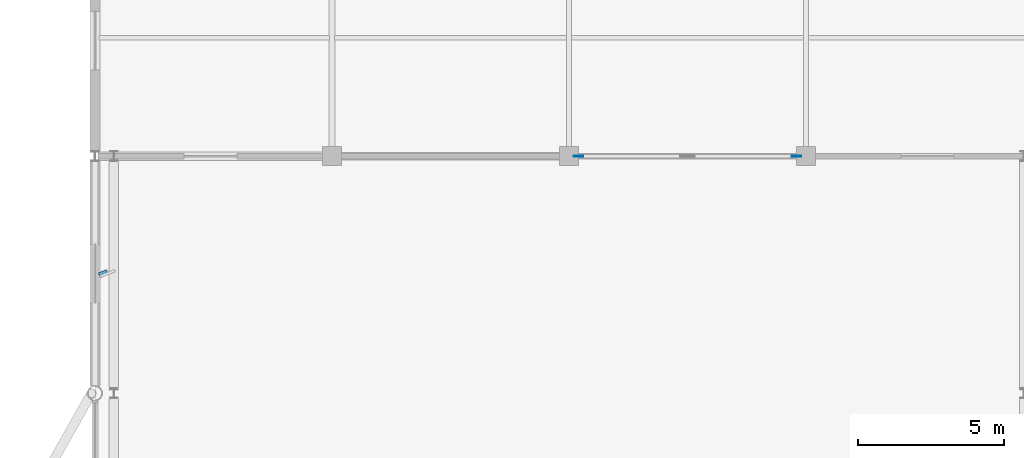
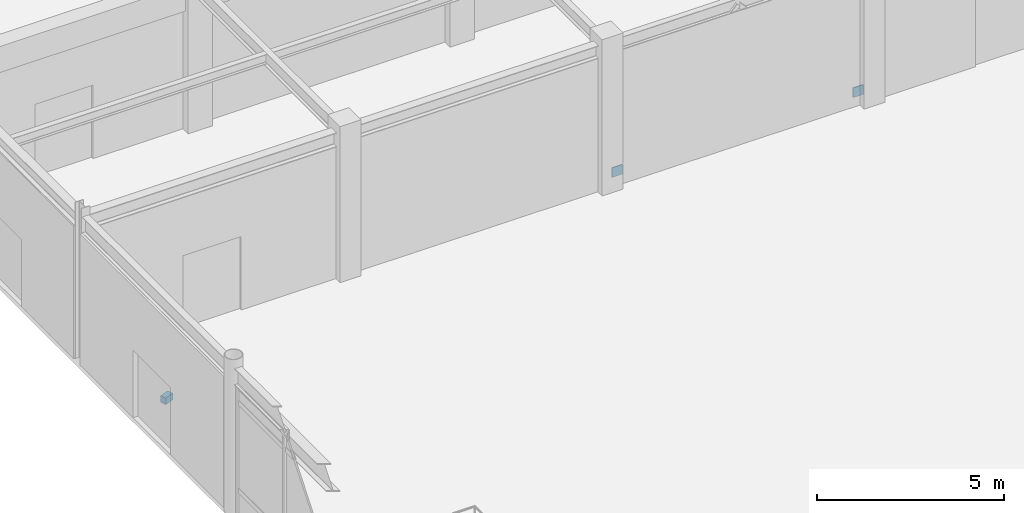
# One storey, part 80 of 99: 3 discrete accessories.
"""IFC4 building model written with IfcOpenShell, lengths in metres."""

from ifc_helpers import new_model, si_unit, direction, frame, origin, origin_2d, place, context, subcontext, project, spatial, rectangle, extrude, material, type_object, element, save


model = new_model("IFC4")

# Units and contexts
model_context = context("Model", 3, precision=1e-05, world=origin(), true_north=direction((0.0, 1.0)))
body_context = subcontext(model_context, "Body", "Model", "MODEL_VIEW")
ifc_project = project(units=[si_unit("LENGTHUNIT", "METRE"), si_unit("AREAUNIT", "SQUARE_METRE"), si_unit("VOLUMEUNIT", "CUBIC_METRE"), si_unit("PLANEANGLEUNIT", "RADIAN"), si_unit("MASSUNIT", "GRAM", prefix="KILO")], contexts=[model_context])

# Site, building, storey
site_placement = place(None, origin())
site = spatial("IfcSite", under=ifc_project, at=site_placement, CompositionType="ELEMENT")
building_placement = place(site_placement, origin())
building = spatial("IfcBuilding", under=site, at=building_placement, Name="Vaudrelin Polytechnic", CompositionType="ELEMENT")
storey_placement = place(building_placement, origin())
storey = spatial("IfcBuildingStorey", under=building, at=storey_placement, Name="L00", CompositionType="ELEMENT", Elevation=0.0)

# Discrete accessories
ifc_material_1 = material(Name="Steel CSA G40.21 350WT", Category="steel")
discrete_accessory_type_1 = type_object("IfcDiscreteAccessoryType", Name="ACC-CPL-01", PredefinedType="BRACKET", material=ifc_material_1)
for number, where, z_axis, x_axis, name in (
    (1, (16.52490234375, 89.10009765625, 0.23974609375), (0.0, 0.0, 1.0), (1.0, 0.0, 0.0), "Brace end connection plate CPL-003"),
    (2, (23.97509765625, 89.10009765625, 0.23974609375), (0.0, 0.0, 1.0), (1.0, 0.0, 0.0), "Brace end connection plate CPL-004"),
):
    element("IfcDiscreteAccessory", number, at=place(storey_placement, frame(where, z_axis=z_axis, x_axis=x_axis)), inside=storey, type_object=discrete_accessory_type_1, Name=name, PredefinedType="BRACKET", context=body_context, shape_type="SweptSolid", body=[
        extrude(rectangle(XDim=0.320068359375, YDim=0.02392578125, at=origin_2d()), origin(), (0.0, 0.0, 1.0), 0.320068359375),
    ])
ifc_material_2 = material(Name="Galvanised steel CSA G40.21 350W", Category="steel")
discrete_accessory_type_2 = type_object("IfcDiscreteAccessoryType", Name="ENV-BRK-01", PredefinedType="BRACKET", material=ifc_material_2)
discrete_accessory_placement = place(storey_placement, frame((0.2900390625, 85.0888671875, 0.990234375), z_axis=(0.0, 0.0, 1.0), x_axis=(0.927183854567, 0.374606593416, 0.0)))
element("IfcDiscreteAccessory", 3, at=discrete_accessory_placement, inside=storey, type_object=discrete_accessory_type_2, Name="Solar fin support bracket BRK-001", PredefinedType="BRACKET", context=body_context, shape_type="SweptSolid", body=[
    extrude(rectangle(XDim=0.300048828125, YDim=0.179931640625, at=origin_2d()), origin(), (0.0, 0.0, 1.0), 0.219970703125),
])

save(model, "model.ifc")
